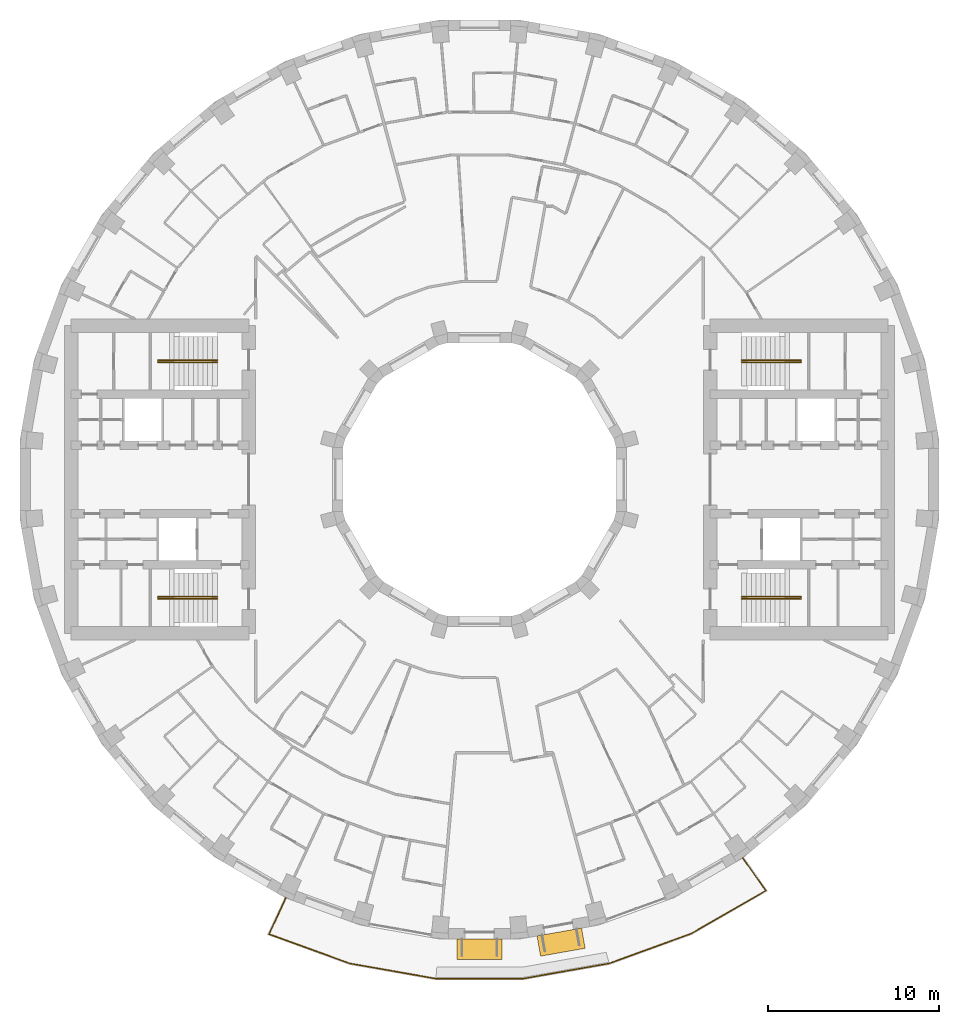
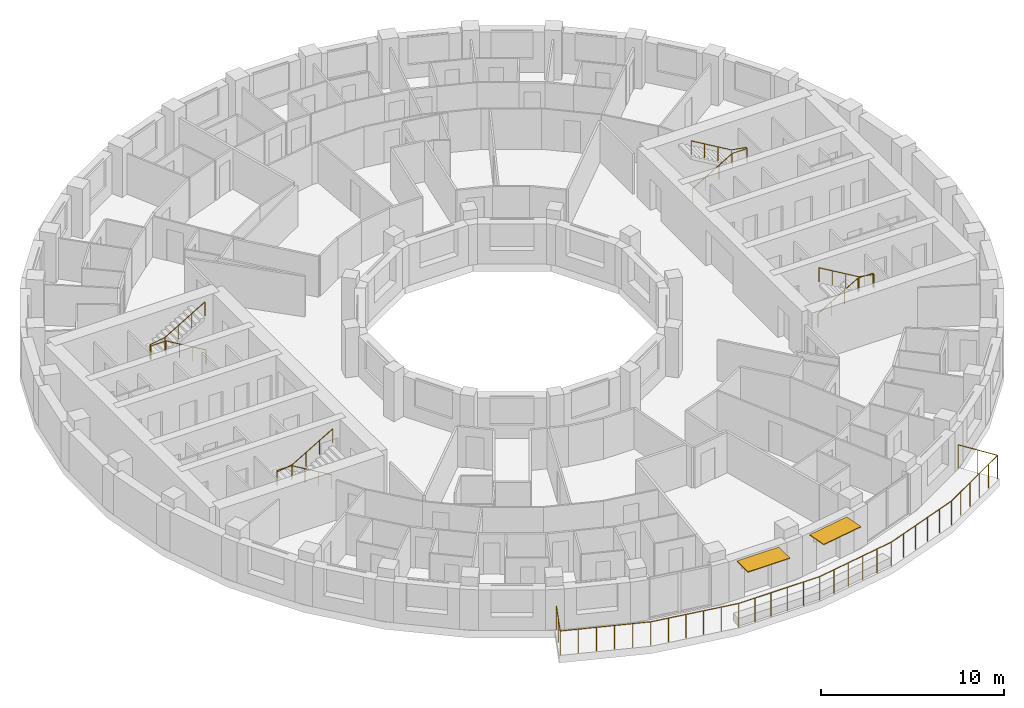
# One storey, part 16 of 16: 5 railings, 2 shading devices.
"""IFC4 building model written with IfcOpenShell, lengths in metres."""

from ifc_helpers import new_model, si_unit, direction, frame, origin, origin_2d, place, context, subcontext, project, spatial, rectangle, circle, extrude, material, layer, layer_set, type_object, element, save


model = new_model("IFC4")

# Units and contexts
model_context = context("Model", 3, precision=1e-05, world=origin(), true_north=direction((0.0, 1.0)))
body_context = subcontext(model_context, "Body", "Model", "MODEL_VIEW")
ifc_project = project(units=[si_unit("LENGTHUNIT", "METRE"), si_unit("AREAUNIT", "SQUARE_METRE"), si_unit("VOLUMEUNIT", "CUBIC_METRE"), si_unit("PLANEANGLEUNIT", "RADIAN"), si_unit("MASSUNIT", "GRAM", prefix="KILO")], contexts=[model_context])

# Site, building, storey
site_placement = place(None, origin())
site = spatial("IfcSite", under=ifc_project, at=site_placement, CompositionType="ELEMENT")
building_placement = place(site_placement, origin())
building = spatial("IfcBuilding", under=site, at=building_placement, Name="Saqina Gate Tower", CompositionType="ELEMENT")
storey_placement = place(building_placement, frame((0.0, 0.0, 148.0)))
storey = spatial("IfcBuildingStorey", under=building, at=storey_placement, Name="L42", CompositionType="ELEMENT", Elevation=148.0)

# Shading devices
ifc_material_1 = material(Name="Aluminium and fabric awning", Category="aluminium")
ifc_layer = layer(ifc_material_1, 0.050048828125)
ifc_layer_set = layer_set([ifc_layer], Name="AW-TERRACE")
shading_device_type = type_object("IfcShadingDeviceType", Name="AW-TERRACE", PredefinedType="AWNING", material=ifc_layer_set)
for number, where, z_axis, x_axis, name in (
    (1, (0.0, -27.497314453125, 2.52490234375), (0.0, 0.0, 1.0), (1.0, 0.0, 0.0), "Terrace awning L42 facet 27"),
    (2, (4.77490234375, -27.07958984375, 2.52490234375), (0.0, 0.0, 1.0), (0.984807753012, 0.173648177667, 0.0), "Terrace awning L42 facet 28"),
):
    element("IfcShadingDevice", number, at=place(storey_placement, frame(where, z_axis=z_axis, x_axis=x_axis)), inside=storey, type_object=shading_device_type, Name=name, PredefinedType="AWNING", context=body_context, shape_type="SweptSolid", body=[
        extrude(rectangle(XDim=2.647705078125, YDim=1.199951171875, at=origin_2d()), origin(), (0.0, 0.0, 1.0), 0.050048828125),
    ])

# Railings
ifc_material_2 = material(Name="Stainless steel", Category="steel")
railing_type_1 = type_object("IfcRailingType", Name="RL-TERRACE", PredefinedType="GUARDRAIL", material=ifc_material_2)
railing_1_placement = place(storey_placement, frame((-11.312744140625, -24.44970703125, 0.0)))
element("IfcRailing", 3, at=railing_1_placement, inside=storey, type_object=railing_type_1, Name="Terrace guard L42", PredefinedType="GUARDRAIL", context=body_context, shape_type="SweptSolid", body=[
    extrude(circle(Radius=0.02392578125, at=origin_2d()), frame((0.0, 0.0, 1.576171875), z_axis=(-0.422684046048, -0.906277108403, 0.0), x_axis=(0.906277108403, -0.422684046048, 0.0)), (0.0, 0.0, 1.0), 2.388916015625),
    extrude(circle(Radius=0.02392578125, at=origin_2d()), frame((-1.009765625, -2.1650390625, 1.576171875), z_axis=(0.940161124594, -0.340730186221, 0.0), x_axis=(0.340730186221, 0.940161124594, 0.0)), (0.0, 0.0, 1.0), 5.032958984375),
    extrude(circle(Radius=0.02392578125, at=origin_2d()), frame((3.721923828125, -3.8798828125, 1.576171875), z_axis=(0.984809508757, -0.173638220049, 0.0), x_axis=(0.173638220049, 0.984809508757, 0.0)), (0.0, 0.0, 1.0), 5.1123046875),
    extrude(circle(Radius=0.02392578125, at=origin_2d()), frame((8.756591796875, -4.767578125, 1.576171875), z_axis=(1.0, 0.0, 0.0), x_axis=(0.0, 1.0, 0.0)), (0.0, 0.0, 1.0), 5.1123046875),
    extrude(circle(Radius=0.02392578125, at=origin_2d()), frame((13.868896484375, -4.767578125, 1.576171875), z_axis=(0.984809508757, 0.173638220049, 0.0), x_axis=(-0.173638220049, 0.984809508757, 0.0)), (0.0, 0.0, 1.0), 5.1123046875),
    extrude(circle(Radius=0.02392578125, at=origin_2d()), frame((18.903564453125, -3.8798828125, 1.576171875), z_axis=(0.939695786518, 0.342011445423, 0.0), x_axis=(-0.342011445423, 0.939695786518, 0.0)), (0.0, 0.0, 1.0), 5.112548828125),
    extrude(circle(Radius=0.02392578125, at=origin_2d()), frame((23.707763671875, -2.13134765625, 1.576171875), z_axis=(0.866716521415, 0.498801033986, 0.0), x_axis=(-0.498801033986, 0.866716521415, 0.0)), (0.0, 0.0, 1.0), 5.032470703125),
    extrude(circle(Radius=0.02392578125, at=origin_2d()), frame((28.069580078125, 0.37890625, 1.576171875), z_axis=(-0.573517212768, 0.819193509898, 0.0), x_axis=(-0.819193509898, -0.573517212768, 0.0)), (0.0, 0.0, 1.0), 2.388916015625),
    extrude(circle(Radius=0.02099609375, at=origin_2d()), origin(), (0.0, 0.0, 1.0), 1.552001953125),
    extrude(circle(Radius=0.02099609375, at=origin_2d()), frame((-0.5048828125, -1.08251953125, 0.0)), (0.0, 0.0, 1.0), 1.552001953125),
    extrude(circle(Radius=0.02099609375, at=origin_2d()), frame((-1.009765625, -2.1650390625, 0.0)), (0.0, 0.0, 1.0), 1.552001953125),
    extrude(circle(Radius=0.02099609375, at=origin_2d()), frame((-0.0634765625, -2.508056640625, 0.0)), (0.0, 0.0, 1.0), 1.552001953125),
    extrude(circle(Radius=0.02099609375, at=origin_2d()), frame((0.8828125, -2.85107421875, 0.0)), (0.0, 0.0, 1.0), 1.552001953125),
    extrude(circle(Radius=0.02099609375, at=origin_2d()), frame((1.829345703125, -3.19384765625, 0.0)), (0.0, 0.0, 1.0), 1.552001953125),
    extrude(circle(Radius=0.02099609375, at=origin_2d()), frame((2.775634765625, -3.536865234375, 0.0)), (0.0, 0.0, 1.0), 1.552001953125),
    extrude(circle(Radius=0.02099609375, at=origin_2d()), frame((3.721923828125, -3.8798828125, 0.0)), (0.0, 0.0, 1.0), 1.552001953125),
    extrude(circle(Radius=0.02099609375, at=origin_2d()), frame((4.728759765625, -4.057373046875, 0.0)), (0.0, 0.0, 1.0), 1.552001953125),
    extrude(circle(Radius=0.02099609375, at=origin_2d()), frame((5.73583984375, -4.23486328125, 0.0)), (0.0, 0.0, 1.0), 1.552001953125),
    extrude(circle(Radius=0.02099609375, at=origin_2d()), frame((6.74267578125, -4.41259765625, 0.0)), (0.0, 0.0, 1.0), 1.552001953125),
    extrude(circle(Radius=0.02099609375, at=origin_2d()), frame((7.749755859375, -4.590087890625, 0.0)), (0.0, 0.0, 1.0), 1.552001953125),
    extrude(circle(Radius=0.02099609375, at=origin_2d()), frame((8.756591796875, -4.767578125, 0.0)), (0.0, 0.0, 1.0), 1.552001953125),
    extrude(circle(Radius=0.02099609375, at=origin_2d()), frame((9.779052734375, -4.767578125, 0.0)), (0.0, 0.0, 1.0), 1.552001953125),
    extrude(circle(Radius=0.02099609375, at=origin_2d()), frame((10.801513671875, -4.767578125, 0.0)), (0.0, 0.0, 1.0), 1.552001953125),
    extrude(circle(Radius=0.02099609375, at=origin_2d()), frame((11.823974609375, -4.767578125, 0.0)), (0.0, 0.0, 1.0), 1.552001953125),
    extrude(circle(Radius=0.02099609375, at=origin_2d()), frame((12.846435546875, -4.767578125, 0.0)), (0.0, 0.0, 1.0), 1.552001953125),
    extrude(circle(Radius=0.02099609375, at=origin_2d()), frame((13.868896484375, -4.767578125, 0.0)), (0.0, 0.0, 1.0), 1.552001953125),
    extrude(circle(Radius=0.02099609375, at=origin_2d()), frame((14.875732421875, -4.590087890625, 0.0)), (0.0, 0.0, 1.0), 1.552001953125),
    extrude(circle(Radius=0.02099609375, at=origin_2d()), frame((15.8828125, -4.41259765625, 0.0)), (0.0, 0.0, 1.0), 1.552001953125),
    extrude(circle(Radius=0.02099609375, at=origin_2d()), frame((16.8896484375, -4.23486328125, 0.0)), (0.0, 0.0, 1.0), 1.552001953125),
    extrude(circle(Radius=0.02099609375, at=origin_2d()), frame((17.896728515625, -4.057373046875, 0.0)), (0.0, 0.0, 1.0), 1.552001953125),
    extrude(circle(Radius=0.02099609375, at=origin_2d()), frame((18.903564453125, -3.8798828125, 0.0)), (0.0, 0.0, 1.0), 1.552001953125),
    extrude(circle(Radius=0.02099609375, at=origin_2d()), frame((19.864501953125, -3.5302734375, 0.0)), (0.0, 0.0, 1.0), 1.552001953125),
    extrude(circle(Radius=0.02099609375, at=origin_2d()), frame((20.8251953125, -3.180419921875, 0.0)), (0.0, 0.0, 1.0), 1.552001953125),
    extrude(circle(Radius=0.02099609375, at=origin_2d()), frame((21.7861328125, -2.830810546875, 0.0)), (0.0, 0.0, 1.0), 1.552001953125),
    extrude(circle(Radius=0.02099609375, at=origin_2d()), frame((22.746826171875, -2.48095703125, 0.0)), (0.0, 0.0, 1.0), 1.552001953125),
    extrude(circle(Radius=0.02099609375, at=origin_2d()), frame((23.707763671875, -2.13134765625, 0.0)), (0.0, 0.0, 1.0), 1.552001953125),
    extrude(circle(Radius=0.02099609375, at=origin_2d()), frame((24.580078125, -1.62939453125, 0.0)), (0.0, 0.0, 1.0), 1.552001953125),
    extrude(circle(Radius=0.02099609375, at=origin_2d()), frame((25.452392578125, -1.127197265625, 0.0)), (0.0, 0.0, 1.0), 1.552001953125),
    extrude(circle(Radius=0.02099609375, at=origin_2d()), frame((26.324951171875, -0.625244140625, 0.0)), (0.0, 0.0, 1.0), 1.552001953125),
    extrude(circle(Radius=0.02099609375, at=origin_2d()), frame((27.197265625, -0.123046875, 0.0)), (0.0, 0.0, 1.0), 1.552001953125),
    extrude(circle(Radius=0.02099609375, at=origin_2d()), frame((28.069580078125, 0.37890625, 0.0)), (0.0, 0.0, 1.0), 1.552001953125),
    extrude(circle(Radius=0.02099609375, at=origin_2d()), frame((27.384521484375, 1.357421875, 0.0)), (0.0, 0.0, 1.0), 1.552001953125),
    extrude(circle(Radius=0.02099609375, at=origin_2d()), frame((26.699462890625, 2.3359375, 0.0)), (0.0, 0.0, 1.0), 1.552001953125),
])
ifc_material_3 = material(Name="Stainless steel", Category="steel")
railing_type_2 = type_object("IfcRailingType", Name="STAIR HANDRAIL", PredefinedType="HANDRAIL", material=ifc_material_3)
railing_2_placement = place(storey_placement, frame((15.35009765625, 6.86669921875, 0.1650390625)))
element("IfcRailing", 4, at=railing_2_placement, inside=storey, type_object=railing_type_2, Name="EXIT STAIR 1 HANDRAIL", PredefinedType="HANDRAIL", context=body_context, shape_type="SweptSolid", body=[
    extrude(circle(Radius=0.02392578125, at=origin_2d()), frame((0.0, 0.0, 0.92578125), z_axis=(0.861560626758, 0.0, 0.507654692109), x_axis=(0.0, 1.0, 0.0)), (0.0, 0.0, 1.0), 2.925048828125),
    extrude(circle(Radius=0.02392578125, at=origin_2d()), frame((2.52001953125, 0.0, 2.41064453125), z_axis=(1.0, 0.0, 0.0), x_axis=(0.0, 1.0, 0.0)), (0.0, 0.0, 1.0), 0.949951171875),
    extrude(circle(Radius=0.02392578125, at=origin_2d()), frame((3.469970703125, 0.0, 2.41064453125), z_axis=(0.0, 1.0, 0.0), x_axis=(-1.0, 0.0, 0.0)), (0.0, 0.0, 1.0), 0.11669921875),
    extrude(circle(Radius=0.02392578125, at=origin_2d()), frame((3.469970703125, 0.11669921875, 2.41064453125), z_axis=(-0.985241474778, 0.0, 0.171170197109), x_axis=(0.0, -1.0, 0.0)), (0.0, 0.0, 1.0), 0.964111328125),
    extrude(circle(Radius=0.02392578125, at=origin_2d()), frame((2.52001953125, 0.11669921875, 2.57568359375), z_axis=(-0.86152411907, 0.0, 0.507716645641), x_axis=(0.0, -1.0, 0.0)), (0.0, 0.0, 1.0), 2.925048828125),
    extrude(circle(Radius=0.02099609375, at=origin_2d()), origin(), (0.0, 0.0, 1.0), 0.90185546875),
    extrude(circle(Radius=0.02099609375, at=origin_2d()), frame((0.840087890625, 0.0, 0.494873046875)), (0.0, 0.0, 1.0), 0.90185546875),
    extrude(circle(Radius=0.02099609375, at=origin_2d()), frame((1.679931640625, 0.0, 0.989990234375)), (0.0, 0.0, 1.0), 0.90185546875),
    extrude(circle(Radius=0.02099609375, at=origin_2d()), frame((2.52001953125, 0.0, 1.48486328125)), (0.0, 0.0, 1.0), 0.90185546875),
    extrude(circle(Radius=0.02099609375, at=origin_2d()), frame((3.469970703125, 0.0, 1.48486328125)), (0.0, 0.0, 1.0), 0.90185546875),
    extrude(circle(Radius=0.02099609375, at=origin_2d()), frame((3.469970703125, 0.11669921875, 1.48486328125)), (0.0, 0.0, 1.0), 0.90185546875),
    extrude(circle(Radius=0.02099609375, at=origin_2d()), frame((2.52001953125, 0.11669921875, 1.64990234375)), (0.0, 0.0, 1.0), 0.90185546875),
    extrude(circle(Radius=0.02099609375, at=origin_2d()), frame((1.679931640625, 0.11669921875, 2.14501953125)), (0.0, 0.0, 1.0), 0.90185546875),
    extrude(circle(Radius=0.02099609375, at=origin_2d()), frame((0.840087890625, 0.11669921875, 2.639892578125)), (0.0, 0.0, 1.0), 0.90185546875),
    extrude(circle(Radius=0.02099609375, at=origin_2d()), frame((0.0, 0.11669921875, 3.135009765625)), (0.0, 0.0, 1.0), 0.90185546875),
])
railing_3_placement = place(storey_placement, frame((15.35009765625, -6.86669921875, 0.1650390625)))
element("IfcRailing", 5, at=railing_3_placement, inside=storey, type_object=railing_type_2, Name="EXIT STAIR 2 HANDRAIL", PredefinedType="HANDRAIL", context=body_context, shape_type="SweptSolid", body=[
    extrude(circle(Radius=0.02392578125, at=origin_2d()), frame((0.0, 0.0, 0.92578125), z_axis=(0.861560626758, 0.0, 0.507654692109), x_axis=(0.0, 1.0, 0.0)), (0.0, 0.0, 1.0), 2.925048828125),
    extrude(circle(Radius=0.02392578125, at=origin_2d()), frame((2.52001953125, 0.0, 2.41064453125), z_axis=(1.0, 0.0, 0.0), x_axis=(0.0, 1.0, 0.0)), (0.0, 0.0, 1.0), 0.949951171875),
    extrude(circle(Radius=0.02392578125, at=origin_2d()), frame((3.469970703125, 0.0, 2.41064453125), z_axis=(0.0, -1.0, 0.0), x_axis=(1.0, 0.0, 0.0)), (0.0, 0.0, 1.0), 0.11669921875),
    extrude(circle(Radius=0.02392578125, at=origin_2d()), frame((3.469970703125, -0.11669921875, 2.41064453125), z_axis=(-0.985241474778, 0.0, 0.171170197109), x_axis=(0.0, -1.0, 0.0)), (0.0, 0.0, 1.0), 0.964111328125),
    extrude(circle(Radius=0.02392578125, at=origin_2d()), frame((2.52001953125, -0.11669921875, 2.57568359375), z_axis=(-0.86152411907, 0.0, 0.507716645641), x_axis=(0.0, -1.0, 0.0)), (0.0, 0.0, 1.0), 2.925048828125),
    extrude(circle(Radius=0.02099609375, at=origin_2d()), origin(), (0.0, 0.0, 1.0), 0.90185546875),
    extrude(circle(Radius=0.02099609375, at=origin_2d()), frame((0.840087890625, 0.0, 0.494873046875)), (0.0, 0.0, 1.0), 0.90185546875),
    extrude(circle(Radius=0.02099609375, at=origin_2d()), frame((1.679931640625, 0.0, 0.989990234375)), (0.0, 0.0, 1.0), 0.90185546875),
    extrude(circle(Radius=0.02099609375, at=origin_2d()), frame((2.52001953125, 0.0, 1.48486328125)), (0.0, 0.0, 1.0), 0.90185546875),
    extrude(circle(Radius=0.02099609375, at=origin_2d()), frame((3.469970703125, 0.0, 1.48486328125)), (0.0, 0.0, 1.0), 0.90185546875),
    extrude(circle(Radius=0.02099609375, at=origin_2d()), frame((3.469970703125, -0.11669921875, 1.48486328125)), (0.0, 0.0, 1.0), 0.90185546875),
    extrude(circle(Radius=0.02099609375, at=origin_2d()), frame((2.52001953125, -0.11669921875, 1.64990234375)), (0.0, 0.0, 1.0), 0.90185546875),
    extrude(circle(Radius=0.02099609375, at=origin_2d()), frame((1.679931640625, -0.11669921875, 2.14501953125)), (0.0, 0.0, 1.0), 0.90185546875),
    extrude(circle(Radius=0.02099609375, at=origin_2d()), frame((0.840087890625, -0.11669921875, 2.639892578125)), (0.0, 0.0, 1.0), 0.90185546875),
    extrude(circle(Radius=0.02099609375, at=origin_2d()), frame((0.0, -0.11669921875, 3.135009765625)), (0.0, 0.0, 1.0), 0.90185546875),
])
railing_4_placement = place(storey_placement, frame((-15.35009765625, 6.86669921875, 0.1650390625)))
element("IfcRailing", 6, at=railing_4_placement, inside=storey, type_object=railing_type_2, Name="EXIT STAIR 3 HANDRAIL", PredefinedType="HANDRAIL", context=body_context, shape_type="SweptSolid", body=[
    extrude(circle(Radius=0.02392578125, at=origin_2d()), frame((0.0, 0.0, 0.92578125), z_axis=(-0.861560626758, 0.0, 0.507654692109), x_axis=(0.0, -1.0, 0.0)), (0.0, 0.0, 1.0), 2.925048828125),
    extrude(circle(Radius=0.02392578125, at=origin_2d()), frame((-2.52001953125, 0.0, 2.41064453125), z_axis=(-1.0, 0.0, 0.0), x_axis=(0.0, -1.0, 0.0)), (0.0, 0.0, 1.0), 0.949951171875),
    extrude(circle(Radius=0.02392578125, at=origin_2d()), frame((-3.469970703125, 0.0, 2.41064453125), z_axis=(0.0, 1.0, 0.0), x_axis=(-1.0, 0.0, 0.0)), (0.0, 0.0, 1.0), 0.11669921875),
    extrude(circle(Radius=0.02392578125, at=origin_2d()), frame((-3.469970703125, 0.11669921875, 2.41064453125), z_axis=(0.985241474778, 0.0, 0.171170197109), x_axis=(0.0, 1.0, 0.0)), (0.0, 0.0, 1.0), 0.964111328125),
    extrude(circle(Radius=0.02392578125, at=origin_2d()), frame((-2.52001953125, 0.11669921875, 2.57568359375), z_axis=(0.86152411907, 0.0, 0.507716645641), x_axis=(0.0, 1.0, 0.0)), (0.0, 0.0, 1.0), 2.925048828125),
    extrude(circle(Radius=0.02099609375, at=origin_2d()), origin(), (0.0, 0.0, 1.0), 0.90185546875),
    extrude(circle(Radius=0.02099609375, at=origin_2d()), frame((-0.840087890625, 0.0, 0.494873046875)), (0.0, 0.0, 1.0), 0.90185546875),
    extrude(circle(Radius=0.02099609375, at=origin_2d()), frame((-1.679931640625, 0.0, 0.989990234375)), (0.0, 0.0, 1.0), 0.90185546875),
    extrude(circle(Radius=0.02099609375, at=origin_2d()), frame((-2.52001953125, 0.0, 1.48486328125)), (0.0, 0.0, 1.0), 0.90185546875),
    extrude(circle(Radius=0.02099609375, at=origin_2d()), frame((-3.469970703125, 0.0, 1.48486328125)), (0.0, 0.0, 1.0), 0.90185546875),
    extrude(circle(Radius=0.02099609375, at=origin_2d()), frame((-3.469970703125, 0.11669921875, 1.48486328125)), (0.0, 0.0, 1.0), 0.90185546875),
    extrude(circle(Radius=0.02099609375, at=origin_2d()), frame((-2.52001953125, 0.11669921875, 1.64990234375)), (0.0, 0.0, 1.0), 0.90185546875),
    extrude(circle(Radius=0.02099609375, at=origin_2d()), frame((-1.679931640625, 0.11669921875, 2.14501953125)), (0.0, 0.0, 1.0), 0.90185546875),
    extrude(circle(Radius=0.02099609375, at=origin_2d()), frame((-0.840087890625, 0.11669921875, 2.639892578125)), (0.0, 0.0, 1.0), 0.90185546875),
    extrude(circle(Radius=0.02099609375, at=origin_2d()), frame((0.0, 0.11669921875, 3.135009765625)), (0.0, 0.0, 1.0), 0.90185546875),
])
railing_5_placement = place(storey_placement, frame((-15.35009765625, -6.86669921875, 0.1650390625)))
element("IfcRailing", 7, at=railing_5_placement, inside=storey, type_object=railing_type_2, Name="EXIT STAIR 4 HANDRAIL", PredefinedType="HANDRAIL", context=body_context, shape_type="SweptSolid", body=[
    extrude(circle(Radius=0.02392578125, at=origin_2d()), frame((0.0, 0.0, 0.92578125), z_axis=(-0.861560626758, 0.0, 0.507654692109), x_axis=(0.0, -1.0, 0.0)), (0.0, 0.0, 1.0), 2.925048828125),
    extrude(circle(Radius=0.02392578125, at=origin_2d()), frame((-2.52001953125, 0.0, 2.41064453125), z_axis=(-1.0, 0.0, 0.0), x_axis=(0.0, -1.0, 0.0)), (0.0, 0.0, 1.0), 0.949951171875),
    extrude(circle(Radius=0.02392578125, at=origin_2d()), frame((-3.469970703125, 0.0, 2.41064453125), z_axis=(0.0, -1.0, 0.0), x_axis=(1.0, 0.0, 0.0)), (0.0, 0.0, 1.0), 0.11669921875),
    extrude(circle(Radius=0.02392578125, at=origin_2d()), frame((-3.469970703125, -0.11669921875, 2.41064453125), z_axis=(0.985241474778, 0.0, 0.171170197109), x_axis=(0.0, 1.0, 0.0)), (0.0, 0.0, 1.0), 0.964111328125),
    extrude(circle(Radius=0.02392578125, at=origin_2d()), frame((-2.52001953125, -0.11669921875, 2.57568359375), z_axis=(0.86152411907, 0.0, 0.507716645641), x_axis=(0.0, 1.0, 0.0)), (0.0, 0.0, 1.0), 2.925048828125),
    extrude(circle(Radius=0.02099609375, at=origin_2d()), origin(), (0.0, 0.0, 1.0), 0.90185546875),
    extrude(circle(Radius=0.02099609375, at=origin_2d()), frame((-0.840087890625, 0.0, 0.494873046875)), (0.0, 0.0, 1.0), 0.90185546875),
    extrude(circle(Radius=0.02099609375, at=origin_2d()), frame((-1.679931640625, 0.0, 0.989990234375)), (0.0, 0.0, 1.0), 0.90185546875),
    extrude(circle(Radius=0.02099609375, at=origin_2d()), frame((-2.52001953125, 0.0, 1.48486328125)), (0.0, 0.0, 1.0), 0.90185546875),
    extrude(circle(Radius=0.02099609375, at=origin_2d()), frame((-3.469970703125, 0.0, 1.48486328125)), (0.0, 0.0, 1.0), 0.90185546875),
    extrude(circle(Radius=0.02099609375, at=origin_2d()), frame((-3.469970703125, -0.11669921875, 1.48486328125)), (0.0, 0.0, 1.0), 0.90185546875),
    extrude(circle(Radius=0.02099609375, at=origin_2d()), frame((-2.52001953125, -0.11669921875, 1.64990234375)), (0.0, 0.0, 1.0), 0.90185546875),
    extrude(circle(Radius=0.02099609375, at=origin_2d()), frame((-1.679931640625, -0.11669921875, 2.14501953125)), (0.0, 0.0, 1.0), 0.90185546875),
    extrude(circle(Radius=0.02099609375, at=origin_2d()), frame((-0.840087890625, -0.11669921875, 2.639892578125)), (0.0, 0.0, 1.0), 0.90185546875),
    extrude(circle(Radius=0.02099609375, at=origin_2d()), frame((0.0, -0.11669921875, 3.135009765625)), (0.0, 0.0, 1.0), 0.90185546875),
])

save(model, "model.ifc")
